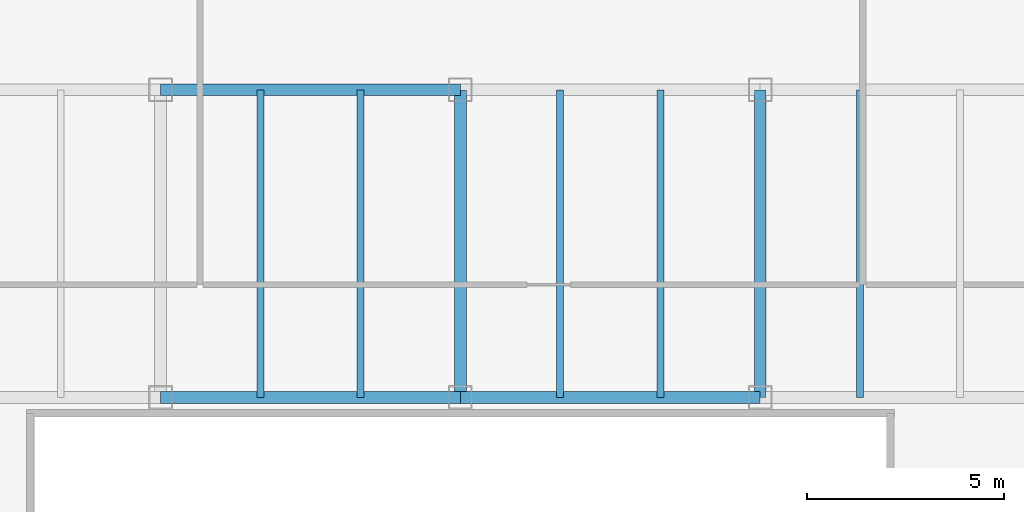
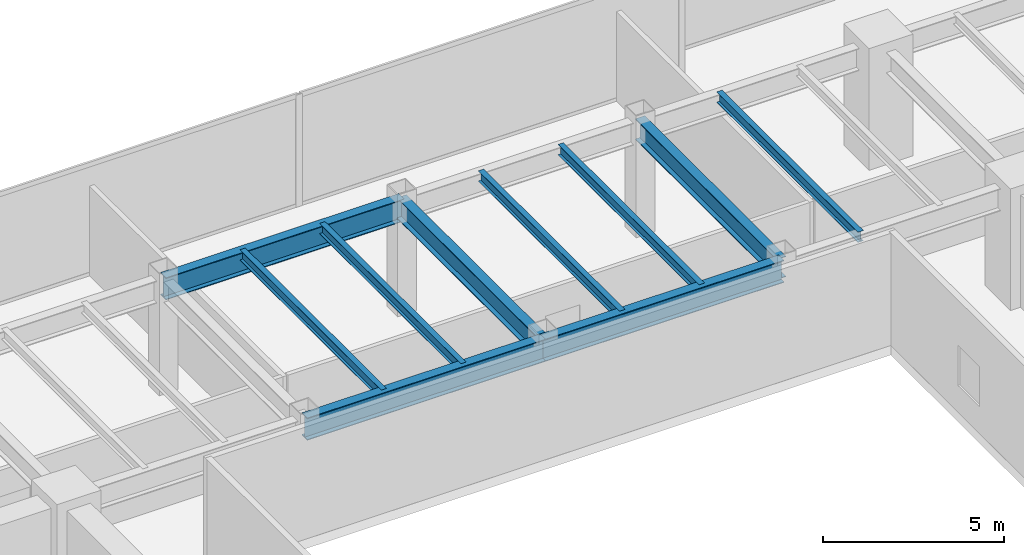
# One storey, part 17 of 35: 10 beams.
"""IFC4 building model written with IfcOpenShell, lengths in metres."""

import ifcopenshell
import ifcopenshell.guid

model = None  # the IFC model being written
_history = None  # IfcOwnerHistory: only IFC2X3 demands one
_inside = {}  # id of a spatial element -> (the spatial element, [elements in it])
_under = {}  # id of a project, library or spatial element -> (it, [spatial elements below it])
_declared = {}  # id of a project -> (the project, [libraries it declares])
_typed = {}  # id of a type object -> (the type object, [elements of that type])
_made_of = {}  # id of a material, layer set ... -> (it, [elements and type objects made of it])


def new_model(schema):
    """Start an empty IFC model of exactly this schema.

    Asked for "IFC4X3", IfcOpenShell would pick the latest addendum, in which some entities
    have other attributes; the version numbers below select the first issue.
    IFC2X3 requires an IfcOwnerHistory on every rooted entity: one is made here for all.
    """
    global model, _history
    if schema == "IFC4X3":
        model = ifcopenshell.file(schema_version=(4, 3, 0, 0))
    else:
        model = ifcopenshell.file(schema=schema)
    _inside.clear()
    _under.clear()
    _declared.clear()
    _typed.clear()
    _made_of.clear()
    _history = None
    if model.schema == "IFC2X3":
        org = make("IfcOrganization", Name="unknown")
        user = make(
            "IfcPersonAndOrganization",
            ThePerson=make("IfcPerson", FamilyName="unknown"),
            TheOrganization=org,
        )
        app = make(
            "IfcApplication",
            ApplicationDeveloper=org,
            Version="unknown",
            ApplicationFullName="unknown",
            ApplicationIdentifier="unknown",
        )
        _history = make(
            "IfcOwnerHistory",
            OwningUser=user,
            OwningApplication=app,
            ChangeAction="ADDED",
            CreationDate=0,
        )
    return model


def make(cls, **values):
    """One entity of the class cls with the attributes given. An attribute that is None is left unset."""
    return model.create_entity(
        cls, **{name: value for name, value in values.items() if value is not None}
    )


def rooted(cls, **values):
    """An entity with a GlobalId (a new one), such as an element, a storey or a relation."""
    return make(cls, GlobalId=ifcopenshell.guid.new(), OwnerHistory=_history, **values)


def si_unit(unit_type, name, prefix=None):
    """IfcSIUnit, for example si_unit("LENGTHUNIT", "METRE", prefix="MILLI")."""
    return make("IfcSIUnit", UnitType=unit_type, Prefix=prefix, Name=name)


def assignment(units):
    """IfcUnitAssignment: the units of a project."""
    return None if units is None else make("IfcUnitAssignment", Units=units)


def point(xyz):
    """IfcCartesianPoint."""
    return None if xyz is None else make("IfcCartesianPoint", Coordinates=xyz)


def direction(xyz):
    """IfcDirection."""
    return None if xyz is None else make("IfcDirection", DirectionRatios=xyz)


def frame(location, z_axis=None, x_axis=None):
    """IfcAxis2Placement3D, a coordinate frame: its origin and axes. An axis left out is left unset."""
    return make(
        "IfcAxis2Placement3D",
        Location=point(location),
        Axis=direction(z_axis),
        RefDirection=direction(x_axis),
    )


def frame_2d(location, x_axis=None):
    """IfcAxis2Placement2D, a coordinate frame in the plane: its origin and x axis."""
    return make(
        "IfcAxis2Placement2D", Location=point(location), RefDirection=direction(x_axis)
    )


def origin():
    """The frame at (0, 0, 0) with its axes left unset."""
    return frame((0.0, 0.0, 0.0))


def origin_2d():
    """The frame at (0, 0) in the plane with its x axis left unset."""
    return frame_2d((0.0, 0.0))


def place(relative_to, where):
    """IfcLocalPlacement: puts the frame where relative to a parent placement (None: the world)."""
    return make(
        "IfcLocalPlacement", PlacementRelTo=relative_to, RelativePlacement=where
    )


def context(
    kind, dimensions, precision=None, world=None, true_north=None, identifier=None
):
    """IfcGeometricRepresentationContext, for example the 3D "Model" context."""
    return make(
        "IfcGeometricRepresentationContext",
        ContextIdentifier=identifier,
        ContextType=kind,
        CoordinateSpaceDimension=dimensions,
        Precision=precision,
        WorldCoordinateSystem=world,
        TrueNorth=true_north,
    )


def subcontext(parent, identifier, kind, view, scale=None):
    """IfcGeometricRepresentationSubContext, for example "Body" below "Model"."""
    return make(
        "IfcGeometricRepresentationSubContext",
        ContextIdentifier=identifier,
        ContextType=kind,
        ParentContext=parent,
        TargetScale=scale,
        TargetView=view,
    )


def project(units=None, contexts=None):
    """IfcProject with its units and contexts."""
    return rooted(
        "IfcProject",
        Name="project",
        RepresentationContexts=contexts,
        UnitsInContext=assignment(units),
    )


def spatial(cls, under=None, at=None, **own):
    """A site, building, storey or space (cls), placed at a placement, below another one or the project."""
    s = rooted(cls, ObjectPlacement=at, **own)
    if under is not None:
        _under.setdefault(under.id(), (under, []))[1].append(s)
    return s


def profile(cls, at=None, kind="AREA", **sizes):
    """A parametric profile (cls). Its sizes go by their IFC names, for example OverallWidth=200.0."""
    return make(cls, ProfileType=kind, Position=at, **sizes)


def i_section(**sizes):
    """IfcIShapeProfileDef."""
    return profile("IfcIShapeProfileDef", **sizes)


def extrude(swept, where, along, depth):
    """IfcExtrudedAreaSolid: the profile swept, set in the frame where, extruded along a direction by depth."""
    return make(
        "IfcExtrudedAreaSolid",
        SweptArea=swept,
        Position=where,
        ExtrudedDirection=direction(along),
        Depth=depth,
    )


def shape(context_of_items, identifier, shape_type, items):
    """IfcShapeRepresentation: the items that make up one representation, for example the "Body"."""
    return make(
        "IfcShapeRepresentation",
        ContextOfItems=context_of_items,
        RepresentationIdentifier=identifier,
        RepresentationType=shape_type,
        Items=items,
    )


def source(mapping_origin, context_of_items, identifier, shape_type, items):
    """IfcRepresentationMap: a shape defined once, which mapped items show again and again."""
    return make(
        "IfcRepresentationMap",
        MappingOrigin=mapping_origin,
        MappedRepresentation=shape(context_of_items, identifier, shape_type, items),
    )


def transform(
    local_origin,
    x_axis=None,
    y_axis=None,
    z_axis=None,
    scale=None,
    scale2=None,
    scale3=None,
    uniform=True,
):
    """IfcCartesianTransformationOperator3D, or its non-uniform kind. x_axis, y_axis, z_axis: its Axis1, 2, 3."""
    if uniform:
        return make(
            "IfcCartesianTransformationOperator3D",
            Axis1=direction(x_axis),
            Axis2=direction(y_axis),
            LocalOrigin=point(local_origin),
            Scale=scale,
            Axis3=direction(z_axis),
        )
    return make(
        "IfcCartesianTransformationOperator3DnonUniform",
        Axis1=direction(x_axis),
        Axis2=direction(y_axis),
        LocalOrigin=point(local_origin),
        Scale=scale,
        Axis3=direction(z_axis),
        Scale2=scale2,
        Scale3=scale3,
    )


def mapped(mapping_source, mapping_target):
    """IfcMappedItem: shows the shape of a source again, moved by a transform."""
    return make(
        "IfcMappedItem", MappingSource=mapping_source, MappingTarget=mapping_target
    )


def material(Name=None, Category=None):
    """IfcMaterial."""
    return make("IfcMaterial", Name=Name, Category=Category)


def material_profile(
    of_material, cross_section, Name=None, Category=None, Priority=None
):
    """IfcMaterialProfile: a cross section and its material."""
    return make(
        "IfcMaterialProfile",
        Name=Name,
        Material=of_material,
        Profile=cross_section,
        Priority=Priority,
        Category=Category,
    )


def profile_set(profiles, Name=None, composite=None):
    """IfcMaterialProfileSet."""
    return make(
        "IfcMaterialProfileSet",
        Name=Name,
        MaterialProfiles=profiles,
        CompositeProfile=composite,
    )


def made_of(thing, what):
    """Note that an element or type object is made of a material, layer set ...; save() writes the relation."""
    if what is not None:
        _made_of.setdefault(what.id(), (what, []))[1].append(thing)
    return thing


def type_object(cls, material=None, **own):
    """A type object (cls), such as IfcWallType, which elements share."""
    return made_of(rooted(cls, **own), material)


def type_shapes(of_type, sources):
    """Give a type object the sources (RepresentationMaps) that its elements show as mapped items."""
    of_type.RepresentationMaps = sources


def element(
    cls,
    number,
    at=None,
    inside=None,
    cuts=None,
    type_object=None,
    material=None,
    context=None,
    identifier="Body",
    shape_type=None,
    held_by="IfcProductDefinitionShape",
    body=None,
    shapes=None,
    **own,
):
    """One element of the class cls, such as IfcWall. Its Tag is "e" and its number.

    at: its placement. inside: the storey or other place that contains it. cuts: it is an
    opening in that element (IfcRelVoidsElement). A single representation is given by context,
    identifier, shape_type and body (its items); several are given by shapes. held_by: the class
    of the entity that holds the representations. save() writes the other relations.
    """
    e = rooted(cls, Tag="e%d" % number, ObjectPlacement=at, **own)
    if body is not None:
        shapes = [shape(context, identifier, shape_type, body)]
    if shapes is not None:
        e.Representation = make(held_by, Representations=shapes)
    if inside is not None:
        _inside.setdefault(inside.id(), (inside, []))[1].append(e)
    if cuts is not None:
        rooted(
            "IfcRelVoidsElement", RelatingBuildingElement=cuts, RelatedOpeningElement=e
        )
    if type_object is not None:
        _typed.setdefault(type_object.id(), (type_object, []))[1].append(e)
    return made_of(e, material)


def aggregate(whole, parts):
    """IfcRelAggregates: a whole, such as a stair, and the parts it consists of."""
    return rooted("IfcRelAggregates", RelatingObject=whole, RelatedObjects=parts)


def save(model, path):
    """Write the relations noted so far, then the file.

    IfcRelAggregates (storeys below a building ...), IfcRelContainedInSpatialStructure (elements
    in a storey), IfcRelDefinesByType, IfcRelAssociatesMaterial and IfcRelDeclares: one each for
    every whole, place, type object, material and project.
    """
    for whole, parts in _under.values():
        aggregate(whole, parts)
    for where, things in _inside.values():
        rooted(
            "IfcRelContainedInSpatialStructure",
            RelatedElements=things,
            RelatingStructure=where,
        )
    for kind, things in _typed.values():
        rooted("IfcRelDefinesByType", RelatedObjects=things, RelatingType=kind)
    for what, things in _made_of.values():
        rooted("IfcRelAssociatesMaterial", RelatedObjects=things, RelatingMaterial=what)
    for by, libraries in _declared.values():
        rooted("IfcRelDeclares", RelatingContext=by, RelatedDefinitions=libraries)
    model.write(path)


model = new_model("IFC4")

# Units and contexts
model_context = context("Model", 3, precision=1e-05, world=origin(), true_north=direction((0.0, 1.0)))
body_context = subcontext(model_context, "Body", "Model", "MODEL_VIEW")
ifc_project = project(units=[si_unit("LENGTHUNIT", "METRE"), si_unit("AREAUNIT", "SQUARE_METRE"), si_unit("VOLUMEUNIT", "CUBIC_METRE"), si_unit("PLANEANGLEUNIT", "RADIAN"), si_unit("MASSUNIT", "GRAM", prefix="KILO")], contexts=[model_context])

# Site, building, storey
site_placement = place(None, origin())
site = spatial("IfcSite", under=ifc_project, at=site_placement, CompositionType="ELEMENT")
building_placement = place(site_placement, origin())
building = spatial("IfcBuilding", under=site, at=building_placement, Name="Haelvirn Gate Laboratories", CompositionType="ELEMENT")
storey_placement = place(building_placement, frame((0.0, 0.0, 37.5)))
storey = spatial("IfcBuildingStorey", under=building, at=storey_placement, Name="L09", CompositionType="ELEMENT", Elevation=37.5)

# Beams
ifc_material = material(Name="Steel SM355", Category="steel")
ifc_material_profile_1 = material_profile(ifc_material, i_section(OverallWidth=0.300048828125, OverallDepth=0.699951171875, WebThickness=0.012939453125, FlangeThickness=0.02392578125, at=origin_2d()), Name="H-700x300x13x24")
ifc_profile_set_1 = profile_set([ifc_material_profile_1], Name="Steel SM355")
beam_type_1 = type_object("IfcBeamType", Name="BM-G-700", PredefinedType="BEAM", material=ifc_profile_set_1)
shared_shape_1 = source(origin(), body_context, "Body", "SweptSolid", [
    extrude(i_section(OverallWidth=0.300048828125, OverallDepth=0.699951171875, WebThickness=0.012939453125, FlangeThickness=0.02392578125, at=origin_2d()), origin(), (0.0, 0.0, 1.0), 7.800048828125),
])
type_shapes(beam_type_1, [shared_shape_1])
for number, where, z_axis, x_axis, name in (
    (1, (37.39990234375, 33.800048828125, 3.429931640625), (0.0, 1.0, 0.0), (-1.0, 0.0, 0.0), "L09 Frame Girder X37.4 (33.8-41.6)"),
    (2, (45.0, 33.800048828125, 3.429931640625), (0.0, 1.0, 0.0), (-1.0, 0.0, 0.0), "L09 Frame Girder X45.0 (33.8-41.6)"),
):
    element("IfcBeam", number, at=place(storey_placement, frame(where, z_axis=z_axis, x_axis=x_axis)), inside=storey, type_object=beam_type_1, Name=name, PredefinedType="BEAM", context=body_context, shape_type="MappedRepresentation", body=[
        mapped(shared_shape_1, transform((0.0, 0.0, 0.0), scale=1.0)),
    ])
ifc_material_profile_2 = material_profile(ifc_material, i_section(OverallWidth=0.300048828125, OverallDepth=0.75, WebThickness=0.013916015625, FlangeThickness=0.02392578125, at=origin_2d()), Name="H-750x300x14x24")
ifc_profile_set_2 = profile_set([ifc_material_profile_2], Name="Steel SM355")
beam_type_2 = type_object("IfcBeamType", Name="BM-G-750", PredefinedType="BEAM", material=ifc_profile_set_2)
shared_shape_2 = source(origin(), body_context, "Body", "SweptSolid", [
    extrude(i_section(OverallWidth=0.300048828125, OverallDepth=0.75, WebThickness=0.013916015625, FlangeThickness=0.02392578125, at=origin_2d()), origin(), (0.0, 0.0, 1.0), 7.60009765625),
])
beam_placement = place(storey_placement, frame((37.39990234375, 33.800048828125, 3.405029296875), z_axis=(1.0, 0.0, 0.0), x_axis=(0.0, 1.0, 0.0)))
element("IfcBeam", 3, at=beam_placement, inside=storey, type_object=beam_type_2, Name="L09 Primary Girder Y33.8 (37.4-45.0)", PredefinedType="BEAM", context=body_context, shape_type="MappedRepresentation", body=[
    mapped(shared_shape_2, transform((0.0, 0.0, 0.0), scale=1.0)),
])
shared_shape_3 = source(origin(), body_context, "Body", "SweptSolid", [
    extrude(i_section(OverallWidth=0.300048828125, OverallDepth=0.75, WebThickness=0.013916015625, FlangeThickness=0.02392578125, at=origin_2d()), origin(), (0.0, 0.0, 1.0), 7.599853515625),
])
type_shapes(beam_type_2, [shared_shape_2, shared_shape_3])
for number, where, z_axis, x_axis, name in (
    (4, (29.800048828125, 33.800048828125, 3.405029296875), (1.0, 0.0, 0.0), (0.0, 1.0, 0.0), "L09 Primary Girder Y33.8 (29.8-37.4)"),
    (5, (29.800048828125, 41.60009765625, 3.405029296875), (1.0, 0.0, 0.0), (0.0, 1.0, 0.0), "L09 Primary Girder Y41.6 (29.8-37.4)"),
):
    element("IfcBeam", number, at=place(storey_placement, frame(where, z_axis=z_axis, x_axis=x_axis)), inside=storey, type_object=beam_type_2, Name=name, PredefinedType="BEAM", context=body_context, shape_type="MappedRepresentation", body=[
        mapped(shared_shape_3, transform((0.0, 0.0, 0.0), scale=1.0)),
    ])
ifc_material_profile_3 = material_profile(ifc_material, i_section(OverallWidth=0.175048828125, OverallDepth=0.35009765625, WebThickness=0.007080078125, FlangeThickness=0.010986328125, at=origin_2d()), Name="H-350x175x7x11")
ifc_profile_set_3 = profile_set([ifc_material_profile_3], Name="Steel SM355")
beam_type_3 = type_object("IfcBeamType", Name="BM-J-350", PredefinedType="JOIST", material=ifc_profile_set_3)
shared_shape_4 = source(origin(), body_context, "Body", "SweptSolid", [
    extrude(i_section(OverallWidth=0.175048828125, OverallDepth=0.35009765625, WebThickness=0.007080078125, FlangeThickness=0.010986328125, at=origin_2d()), origin(), (0.0, 0.0, 1.0), 7.800048828125),
])
type_shapes(beam_type_3, [shared_shape_4])
for number, where, z_axis, x_axis, name in (
    (6, (32.330078125, 33.800048828125, 3.60498046875), (0.0, 1.0, 0.0), (-1.0, 0.0, 0.0), "L09 Composite Lab Joist North X32.33"),
    (7, (34.8701171875, 33.800048828125, 3.60498046875), (0.0, 1.0, 0.0), (-1.0, 0.0, 0.0), "L09 Composite Lab Joist North X34.87"),
    (8, (39.929931640625, 33.800048828125, 3.60498046875), (0.0, 1.0, 0.0), (-1.0, 0.0, 0.0), "L09 Composite Lab Joist North X39.93"),
    (9, (42.469970703125, 33.800048828125, 3.60498046875), (0.0, 1.0, 0.0), (-1.0, 0.0, 0.0), "L09 Composite Lab Joist North X42.47"),
    (10, (47.530029296875, 33.800048828125, 3.60498046875), (0.0, 1.0, 0.0), (-1.0, 0.0, 0.0), "L09 Composite Lab Joist North X47.53"),
):
    element("IfcBeam", number, at=place(storey_placement, frame(where, z_axis=z_axis, x_axis=x_axis)), inside=storey, type_object=beam_type_3, Name=name, PredefinedType="JOIST", context=body_context, shape_type="MappedRepresentation", body=[
        mapped(shared_shape_4, transform((0.0, 0.0, 0.0), scale=1.0)),
    ])

save(model, "model.ifc")
